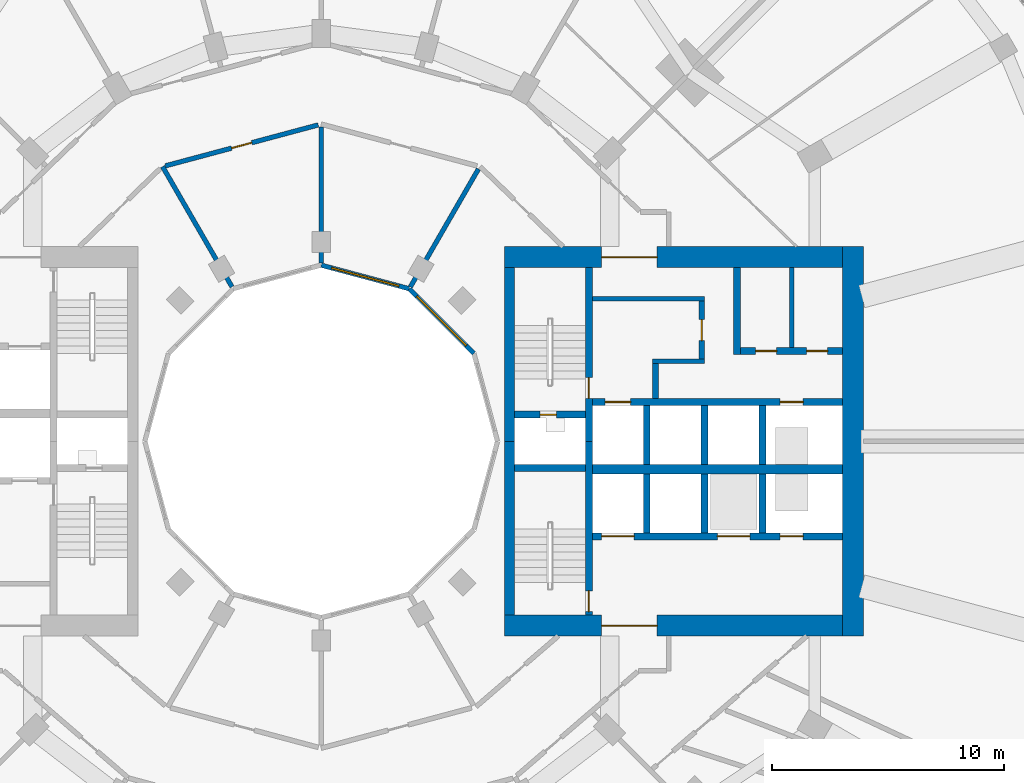
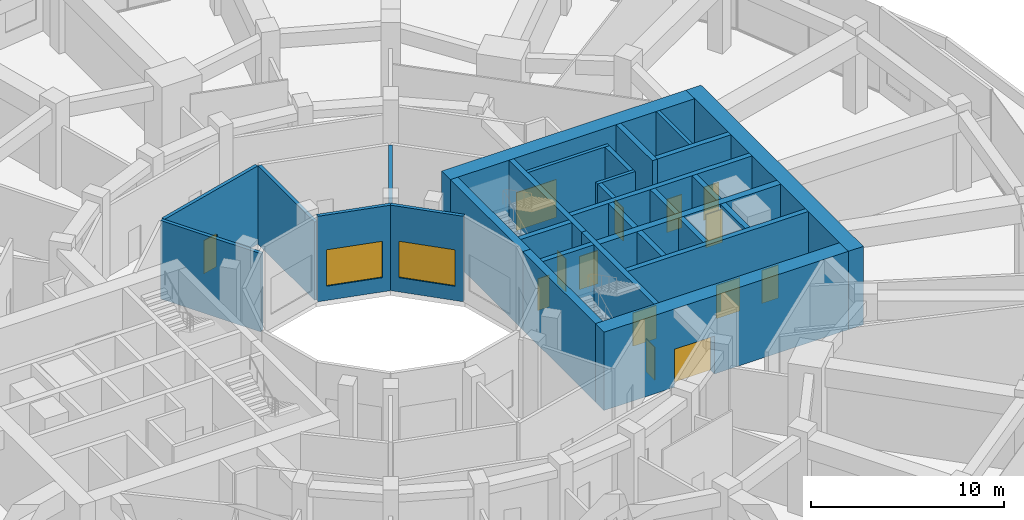
# One storey, part 21 of 26: 31 walls, 14 doors, 2 windows, 16 openings.
"""IFC4 building model written with IfcOpenShell, lengths in metres."""

from ifc_helpers import new_model, si_unit, direction, frame, frame_2d, origin, place, context, subcontext, project, spatial, rectangle, extrude, material, layer, layer_set, type_object, element, fill, save


model = new_model("IFC4")

# Units and contexts
model_context = context("Model", 3, precision=1e-05, world=origin(), true_north=direction((0.0, 1.0)))
body_context = subcontext(model_context, "Body", "Model", "MODEL_VIEW")
ifc_project = project(units=[si_unit("LENGTHUNIT", "METRE"), si_unit("AREAUNIT", "SQUARE_METRE"), si_unit("VOLUMEUNIT", "CUBIC_METRE"), si_unit("PLANEANGLEUNIT", "RADIAN"), si_unit("MASSUNIT", "GRAM", prefix="KILO")], contexts=[model_context])

# Site, building, storey
site_placement = place(None, origin())
site = spatial("IfcSite", under=ifc_project, at=site_placement, CompositionType="ELEMENT")
building_placement = place(site_placement, origin())
building = spatial("IfcBuilding", under=site, at=building_placement, Name="Torre Brocal", CompositionType="ELEMENT")
storey_placement = place(building_placement, frame((0.0, 0.0, 12.39990234375)))
storey = spatial("IfcBuildingStorey", under=building, at=storey_placement, Name="L02", CompositionType="ELEMENT", Elevation=12.39990234375)

# Walls
ifc_material_1 = material(Name="Masonry block", Category="masonry")
ifc_layer_1 = layer(ifc_material_1, 0.199951171875)
ifc_layer_set_1 = layer_set([ifc_layer_1], Name="Masonry block")
wall_type_1 = type_object("IfcWallType", Name="CORE PARTITION 200 UNDER 450 SLAB", PredefinedType="PARTITIONING", material=ifc_layer_set_1)
wall_1_placement = place(storey_placement, frame((100.300048828125, 79.050048828125, 0.0), z_axis=(0.0, 0.0, 1.0), x_axis=(0.0, 1.0, 0.0)))
element("IfcWall", 1, at=wall_1_placement, inside=storey, type_object=wall_type_1, Name="Wall CP200-S450", PredefinedType="PARTITIONING", context=body_context, shape_type="SweptSolid", body=[
    extrude(rectangle(XDim=3.449951171875, YDim=0.199951171875, at=frame_2d((1.72509765625, 0.0))), origin(), (0.0, 0.0, 1.0), 4.9501953125),
])
ifc_material_2 = material(Name="Concrete C80", Category="concrete")
ifc_layer_2 = layer(ifc_material_2, 0.199951171875)
ifc_layer_set_2 = layer_set([ifc_layer_2], Name="Concrete C80")
wall_type_2 = type_object("IfcWallType", Name="CORE WALL 200 C80 UNDER 450 SLAB", PredefinedType="SHEAR", material=ifc_layer_set_2)
wall_2_placement = place(storey_placement, frame((91.699951171875, 81.14990234375, 0.0), z_axis=(0.0, 0.0, 1.0), x_axis=(1.0, 0.0, 0.0)))
element("IfcWall", 2, at=wall_2_placement, inside=storey, type_object=wall_type_2, Name="Wall CW200-80-S450", PredefinedType="SHEAR", context=body_context, shape_type="SweptSolid", body=[
    extrude(rectangle(XDim=4.85009765625, YDim=0.199951171875, at=frame_2d((2.425048828125, 0.0))), origin(), (0.0, 0.0, 1.0), 4.9501953125),
])
wall_3_placement = place(storey_placement, frame((94.300048828125, 78.449951171875, 0.0), z_axis=(0.0, 0.0, 1.0), x_axis=(1.0, 0.0, 0.0)))
element("IfcWall", 3, at=wall_3_placement, inside=storey, type_object=wall_type_2, Name="Wall CW200-80-S450", PredefinedType="SHEAR", context=body_context, shape_type="SweptSolid", body=[
    extrude(rectangle(XDim=2.25, YDim=0.199951171875, at=frame_2d((1.125, 0.0))), origin(), (0.0, 0.0, 1.0), 4.9501953125),
])

# Wall, opening, door
ifc_material_3 = material(Name="Concrete C80", Category="concrete")
ifc_layer_3 = layer(ifc_material_3, 0.25)
ifc_layer_set_3 = layer_set([ifc_layer_3], Name="Concrete C80")
wall_type_3 = type_object("IfcWallType", Name="CORE WALL 250 C80 UNDER 450 SLAB", PredefinedType="SHEAR", material=ifc_layer_set_3)
wall_4_placement = place(storey_placement, frame((96.425048828125, 78.550048828125, 0.0), z_axis=(0.0, 0.0, 1.0), x_axis=(0.0, 1.0, 0.0)))
wall_4 = element("IfcWall", 4, at=wall_4_placement, inside=storey, type_object=wall_type_3, Name="Wall CW250-80-S450", PredefinedType="SHEAR", context=body_context, shape_type="SweptSolid", body=[
    extrude(rectangle(XDim=2.5, YDim=0.25, at=frame_2d((1.25, 0.0))), origin(), (0.0, 0.0, 1.0), 4.9501953125),
])
opening_1_placement = place(wall_4_placement, frame((0.800048828125, 0.0, 0.0)))
opening_1 = element("IfcOpeningElement", 5, at=opening_1_placement, cuts=wall_4, Name="Opening E-D15", PredefinedType="OPENING", context=body_context, shape_type="SweptSolid", body=[
    extrude(rectangle(XDim=0.89990234375, YDim=2.10009765625, at=frame_2d((0.449951171875, 1.050048828125))), frame((0.0, 0.135009765625, 0.0), z_axis=(0.0, -1.0, 0.0), x_axis=(1.0, 0.0, 0.0)), (0.0, 0.0, 1.0), 0.27001953125),
])
ifc_material_4 = material(Name="Steel A653", Category="steel")
door_type_1 = type_object("IfcDoorType", Name="LOBBY DOOR FD120 900X2100", OperationType="SINGLE_SWING_RIGHT", PredefinedType="DOOR", material=ifc_material_4)
door_1_placement = place(opening_1_placement, origin())
door_1 = element("IfcDoor", 6, at=door_1_placement, inside=storey, type_object=door_type_1, Name="Door E-D15", OperationType="SINGLE_SWING_LEFT", OverallHeight=2.10009765625, OverallWidth=0.89990234375, PredefinedType="DOOR", context=body_context, shape_type="SweptSolid", body=[
    extrude(rectangle(XDim=0.89990234375, YDim=2.10009765625, at=frame_2d((0.449951171875, 1.050048828125))), frame((0.0, 0.02490234375, 0.0), z_axis=(0.0, -1.0, 0.0), x_axis=(1.0, 0.0, 0.0)), (0.0, 0.0, 1.0), 0.050048828125),
])
fill(opening_1, door_1)

# Wall
wall_5_placement = place(storey_placement, frame((94.425048828125, 76.85009765625, 0.0), z_axis=(0.0, 0.0, 1.0), x_axis=(0.0, 1.0, 0.0)))
element("IfcWall", 7, at=wall_5_placement, inside=storey, type_object=wall_type_3, Name="Wall CW250-80-S450", PredefinedType="SHEAR", context=body_context, shape_type="SweptSolid", body=[
    extrude(rectangle(XDim=1.5, YDim=0.25, at=frame_2d((0.75, 0.0))), origin(), (0.0, 0.0, 1.0), 4.9501953125),
])

# Wall, opening, door
ifc_material_5 = material(Name="Concrete C80", Category="concrete")
ifc_layer_4 = layer(ifc_material_5, 0.300048828125)
ifc_layer_set_4 = layer_set([ifc_layer_4], Name="Concrete C80")
wall_type_4 = type_object("IfcWallType", Name="CORE WALL 300 C80 UNDER 450 SLAB", PredefinedType="SHEAR", material=ifc_layer_set_4)
wall_6_placement = place(storey_placement, frame((91.550048828125, 75.0, 0.0), z_axis=(0.0, 0.0, 1.0), x_axis=(0.0, 1.0, 0.0)))
wall_6 = element("IfcWall", 8, at=wall_6_placement, inside=storey, type_object=wall_type_4, Name="Wall CW300-80-S450", PredefinedType="SHEAR", context=body_context, shape_type="SweptSolid", body=[
    extrude(rectangle(XDim=7.5, YDim=0.300048828125, at=frame_2d((3.75, 0.0))), origin(), (0.0, 0.0, 1.0), 4.9501953125),
])
opening_2_placement = place(wall_6_placement, frame((1.85009765625, 0.0, 0.0)))
opening_2 = element("IfcOpeningElement", 9, at=opening_2_placement, cuts=wall_6, Name="Opening E-D02", PredefinedType="OPENING", context=body_context, shape_type="SweptSolid", body=[
    extrude(rectangle(XDim=0.89990234375, YDim=2.10009765625, at=frame_2d((0.449951171875, 1.050048828125))), frame((0.0, 0.159912109375, 0.0), z_axis=(0.0, -1.0, 0.0), x_axis=(1.0, 0.0, 0.0)), (0.0, 0.0, 1.0), 0.320068359375),
])
ifc_material_6 = material(Name="Steel A653", Category="steel")
door_type_2 = type_object("IfcDoorType", Name="STAIR DOOR FD120 900X2100", OperationType="SINGLE_SWING_RIGHT", PredefinedType="DOOR", material=ifc_material_6)
door_2_placement = place(opening_2_placement, origin())
door_2 = element("IfcDoor", 10, at=door_2_placement, inside=storey, type_object=door_type_2, Name="Door E-D02", OperationType="SINGLE_SWING_LEFT", OverallHeight=2.10009765625, OverallWidth=0.89990234375, PredefinedType="DOOR", context=body_context, shape_type="SweptSolid", body=[
    extrude(rectangle(XDim=0.89990234375, YDim=2.10009765625, at=frame_2d((0.449951171875, 1.050048828125))), frame((0.0, 0.02490234375, 0.0), z_axis=(0.0, -1.0, 0.0), x_axis=(1.0, 0.0, 0.0)), (0.0, 0.0, 1.0), 0.050048828125),
])
fill(opening_2, door_2)

wall_7_placement = place(storey_placement, frame((91.550048828125, 67.5, 0.0), z_axis=(0.0, 0.0, 1.0), x_axis=(0.0, 1.0, 0.0)))
wall_7 = element("IfcWall", 11, at=wall_7_placement, inside=storey, type_object=wall_type_4, Name="Wall CW300-80-S450", PredefinedType="SHEAR", context=body_context, shape_type="SweptSolid", body=[
    extrude(rectangle(XDim=7.5, YDim=0.300048828125, at=frame_2d((3.75, 0.0))), origin(), (0.0, 0.0, 1.0), 4.9501953125),
])
opening_3_placement = place(wall_7_placement, frame((0.14990234375, 0.0, 0.0)))
opening_3 = element("IfcOpeningElement", 12, at=opening_3_placement, cuts=wall_7, Name="Opening E-D03", PredefinedType="OPENING", context=body_context, shape_type="SweptSolid", body=[
    extrude(rectangle(XDim=0.89990234375, YDim=2.10009765625, at=frame_2d((0.449951171875, 1.050048828125))), frame((0.0, 0.159912109375, 0.0), z_axis=(0.0, -1.0, 0.0), x_axis=(1.0, 0.0, 0.0)), (0.0, 0.0, 1.0), 0.320068359375),
])
door_3_placement = place(opening_3_placement, origin())
door_3 = element("IfcDoor", 13, at=door_3_placement, inside=storey, type_object=door_type_2, Name="Door E-D03", OperationType="SINGLE_SWING_LEFT", OverallHeight=2.10009765625, OverallWidth=0.89990234375, PredefinedType="DOOR", context=body_context, shape_type="SweptSolid", body=[
    extrude(rectangle(XDim=0.89990234375, YDim=2.10009765625, at=frame_2d((0.449951171875, 1.050048828125))), frame((0.0, 0.02490234375, 0.0), z_axis=(0.0, -1.0, 0.0), x_axis=(1.0, 0.0, 0.0)), (0.0, 0.0, 1.0), 0.050048828125),
])
fill(opening_3, door_3)

wall_8_placement = place(storey_placement, frame((88.35009765625, 76.14990234375, 0.0), z_axis=(0.0, 0.0, 1.0), x_axis=(1.0, 0.0, 0.0)))
wall_8 = element("IfcWall", 14, at=wall_8_placement, inside=storey, type_object=wall_type_4, Name="Wall CW300-80-S450", PredefinedType="SHEAR", context=body_context, shape_type="SweptSolid", body=[
    extrude(rectangle(XDim=3.0498046875, YDim=0.300048828125, at=frame_2d((1.52490234375, 0.0))), origin(), (0.0, 0.0, 1.0), 4.9501953125),
])
opening_4_placement = place(wall_8_placement, frame((1.10009765625, 0.0, 0.0)))
opening_4 = element("IfcOpeningElement", 15, at=opening_4_placement, cuts=wall_8, Name="Opening E-D01", PredefinedType="OPENING", context=body_context, shape_type="SweptSolid", body=[
    extrude(rectangle(XDim=0.699951171875, YDim=2.0, at=frame_2d((0.35009765625, 1.0))), frame((0.0, 0.159912109375, 0.0), z_axis=(0.0, -1.0, 0.0), x_axis=(1.0, 0.0, 0.0)), (0.0, 0.0, 1.0), 0.320068359375),
])
ifc_material_7 = material(Name="Steel A653", Category="steel")
door_type_3 = type_object("IfcDoorType", Name="RISER DOOR FD120 700X2000", OperationType="SINGLE_SWING_LEFT", PredefinedType="DOOR", material=ifc_material_7)
door_4_placement = place(opening_4_placement, frame((0.699951171875, 0.0, 0.0), z_axis=(0.0, 0.0, 1.0), x_axis=(-1.0, 0.0, 0.0)))
door_4 = element("IfcDoor", 16, at=door_4_placement, inside=storey, type_object=door_type_3, Name="Door E-D01", OperationType="SINGLE_SWING_RIGHT", OverallHeight=2.0, OverallWidth=0.699951171875, PredefinedType="DOOR", context=body_context, shape_type="SweptSolid", body=[
    extrude(rectangle(XDim=0.699951171875, YDim=2.0, at=frame_2d((0.35009765625, 1.0))), frame((0.0, 0.02490234375, 0.0), z_axis=(0.0, -1.0, 0.0), x_axis=(1.0, 0.0, 0.0)), (0.0, 0.0, 1.0), 0.050048828125),
])
fill(opening_4, door_4)

# Wall
wall_9_placement = place(storey_placement, frame((88.35009765625, 73.85009765625, 0.0), z_axis=(0.0, 0.0, 1.0), x_axis=(1.0, 0.0, 0.0)))
element("IfcWall", 17, at=wall_9_placement, inside=storey, type_object=wall_type_4, Name="Wall CW300-80-S450", PredefinedType="SHEAR", context=body_context, shape_type="SweptSolid", body=[
    extrude(rectangle(XDim=3.0498046875, YDim=0.300048828125, at=frame_2d((1.52490234375, 0.0))), origin(), (0.0, 0.0, 1.0), 4.9501953125),
])

# Wall, openings, doors
wall_10_placement = place(storey_placement, frame((91.699951171875, 76.699951171875, 0.0), z_axis=(0.0, 0.0, 1.0), x_axis=(1.0, 0.0, 0.0)))
wall_10 = element("IfcWall", 18, at=wall_10_placement, inside=storey, type_object=wall_type_4, Name="Wall CW300-80-S450", PredefinedType="SHEAR", context=body_context, shape_type="SweptSolid", body=[
    extrude(rectangle(XDim=10.800048828125, YDim=0.300048828125, at=frame_2d((5.39990234375, 0.0))), origin(), (0.0, 0.0, 1.0), 4.9501953125),
])
opening_5_placement = place(wall_10_placement, frame((0.550048828125, 0.0, 0.0)))
opening_5 = element("IfcOpeningElement", 19, at=opening_5_placement, cuts=wall_10, Name="Opening LD", PredefinedType="OPENING", context=body_context, shape_type="SweptSolid", body=[
    extrude(rectangle(XDim=1.10009765625, YDim=2.10009765625, at=frame_2d((0.550048828125, 1.050048828125))), frame((0.0, 0.159912109375, 0.0), z_axis=(0.0, -1.0, 0.0), x_axis=(1.0, 0.0, 0.0)), (0.0, 0.0, 1.0), 0.320068359375),
])
opening_6_placement = place(wall_10_placement, frame((8.10009765625, 0.0, 0.0)))
opening_6 = element("IfcOpeningElement", 20, at=opening_6_placement, cuts=wall_10, Name="Opening LD10", PredefinedType="OPENING", context=body_context, shape_type="SweptSolid", body=[
    extrude(rectangle(XDim=1.0, YDim=2.10009765625, at=frame_2d((0.5, 1.050048828125))), frame((0.0, 0.159912109375, 0.0), z_axis=(0.0, -1.0, 0.0), x_axis=(1.0, 0.0, 0.0)), (0.0, 0.0, 1.0), 0.320068359375),
])
ifc_material_8 = material(Name="Stainless steel AISI 316", Category="steel")
door_type_4 = type_object("IfcDoorType", Name="LIFT LANDING DOOR 1000X2100", OperationType="DOUBLE_DOOR_SLIDING", PredefinedType="DOOR", material=ifc_material_8)
door_5_placement = place(opening_6_placement, origin())
door_5 = element("IfcDoor", 21, at=door_5_placement, inside=storey, type_object=door_type_4, Name="Door LD10", OperationType="DOUBLE_DOOR_SLIDING", OverallHeight=2.10009765625, OverallWidth=1.0, PredefinedType="DOOR", context=body_context, shape_type="SweptSolid", body=[
    extrude(rectangle(XDim=1.0, YDim=2.10009765625, at=frame_2d((0.5, 1.050048828125))), frame((0.0, 0.02490234375, 0.0), z_axis=(0.0, -1.0, 0.0), x_axis=(1.0, 0.0, 0.0)), (0.0, 0.0, 1.0), 0.050048828125),
])
fill(opening_6, door_5)
ifc_material_9 = material(Name="Stainless steel AISI 316", Category="steel")
door_type_5 = type_object("IfcDoorType", Name="LIFT LANDING DOOR 1100X2100", OperationType="DOUBLE_DOOR_SLIDING", PredefinedType="DOOR", material=ifc_material_9)
door_6_placement = place(opening_5_placement, origin())
door_6 = element("IfcDoor", 22, at=door_6_placement, inside=storey, type_object=door_type_5, Name="Door LD", OperationType="DOUBLE_DOOR_SLIDING", OverallHeight=2.10009765625, OverallWidth=1.10009765625, PredefinedType="DOOR", context=body_context, shape_type="SweptSolid", body=[
    extrude(rectangle(XDim=1.10009765625, YDim=2.10009765625, at=frame_2d((0.550048828125, 1.050048828125))), frame((0.0, 0.02490234375, 0.0), z_axis=(0.0, -1.0, 0.0), x_axis=(1.0, 0.0, 0.0)), (0.0, 0.0, 1.0), 0.050048828125),
])
fill(opening_5, door_6)

wall_11_placement = place(storey_placement, frame((91.699951171875, 70.89990234375, 0.0), z_axis=(0.0, 0.0, 1.0), x_axis=(1.0, 0.0, 0.0)))
wall_11 = element("IfcWall", 23, at=wall_11_placement, inside=storey, type_object=wall_type_4, Name="Wall CW300-80-S450", PredefinedType="SHEAR", context=body_context, shape_type="SweptSolid", body=[
    extrude(rectangle(XDim=10.800048828125, YDim=0.300048828125, at=frame_2d((5.39990234375, 0.0))), origin(), (0.0, 0.0, 1.0), 4.9501953125),
])
opening_7_placement = place(wall_11_placement, frame((0.39990234375, 0.0, 0.0)))
opening_7 = element("IfcOpeningElement", 24, at=opening_7_placement, cuts=wall_11, Name="Opening LD14", PredefinedType="OPENING", context=body_context, shape_type="SweptSolid", body=[
    extrude(rectangle(XDim=1.39990234375, YDim=2.10009765625, at=frame_2d((0.699951171875, 1.050048828125))), frame((0.0, 0.159912109375, 0.0), z_axis=(0.0, -1.0, 0.0), x_axis=(1.0, 0.0, 0.0)), (0.0, 0.0, 1.0), 0.320068359375),
])
opening_8_placement = place(wall_11_placement, frame((5.39990234375, 0.0, 0.0)))
opening_8 = element("IfcOpeningElement", 25, at=opening_8_placement, cuts=wall_11, Name="Opening LD14", PredefinedType="OPENING", context=body_context, shape_type="SweptSolid", body=[
    extrude(rectangle(XDim=1.39990234375, YDim=2.10009765625, at=frame_2d((0.699951171875, 1.050048828125))), frame((0.0, 0.159912109375, 0.0), z_axis=(0.0, -1.0, 0.0), x_axis=(1.0, 0.0, 0.0)), (0.0, 0.0, 1.0), 0.320068359375),
])
opening_9_placement = place(wall_11_placement, frame((8.10009765625, 0.0, 0.0)))
opening_9 = element("IfcOpeningElement", 26, at=opening_9_placement, cuts=wall_11, Name="Opening LD10", PredefinedType="OPENING", context=body_context, shape_type="SweptSolid", body=[
    extrude(rectangle(XDim=1.0, YDim=2.10009765625, at=frame_2d((0.5, 1.050048828125))), frame((0.0, 0.159912109375, 0.0), z_axis=(0.0, -1.0, 0.0), x_axis=(1.0, 0.0, 0.0)), (0.0, 0.0, 1.0), 0.320068359375),
])
door_7_placement = place(opening_9_placement, origin())
door_7 = element("IfcDoor", 27, at=door_7_placement, inside=storey, type_object=door_type_4, Name="Door LD10", OperationType="DOUBLE_DOOR_SLIDING", OverallHeight=2.10009765625, OverallWidth=1.0, PredefinedType="DOOR", context=body_context, shape_type="SweptSolid", body=[
    extrude(rectangle(XDim=1.0, YDim=2.10009765625, at=frame_2d((0.5, 1.050048828125))), frame((0.0, 0.02490234375, 0.0), z_axis=(0.0, -1.0, 0.0), x_axis=(1.0, 0.0, 0.0)), (0.0, 0.0, 1.0), 0.050048828125),
])
fill(opening_9, door_7)
ifc_material_10 = material(Name="Stainless steel AISI 316", Category="steel")
door_type_6 = type_object("IfcDoorType", Name="LIFT LANDING DOOR 1400X2100", OperationType="DOUBLE_DOOR_SLIDING", PredefinedType="DOOR", material=ifc_material_10)
door_8_placement = place(opening_7_placement, origin())
door_8 = element("IfcDoor", 28, at=door_8_placement, inside=storey, type_object=door_type_6, Name="Door LD14", OperationType="DOUBLE_DOOR_SLIDING", OverallHeight=2.10009765625, OverallWidth=1.39990234375, PredefinedType="DOOR", context=body_context, shape_type="SweptSolid", body=[
    extrude(rectangle(XDim=1.39990234375, YDim=2.10009765625, at=frame_2d((0.699951171875, 1.050048828125))), frame((0.0, 0.02490234375, 0.0), z_axis=(0.0, -1.0, 0.0), x_axis=(1.0, 0.0, 0.0)), (0.0, 0.0, 1.0), 0.050048828125),
])
fill(opening_7, door_8)
door_9_placement = place(opening_8_placement, origin())
door_9 = element("IfcDoor", 29, at=door_9_placement, inside=storey, type_object=door_type_6, Name="Door LD14", OperationType="DOUBLE_DOOR_SLIDING", OverallHeight=2.10009765625, OverallWidth=1.39990234375, PredefinedType="DOOR", context=body_context, shape_type="SweptSolid", body=[
    extrude(rectangle(XDim=1.39990234375, YDim=2.10009765625, at=frame_2d((0.699951171875, 1.050048828125))), frame((0.0, 0.02490234375, 0.0), z_axis=(0.0, -1.0, 0.0), x_axis=(1.0, 0.0, 0.0)), (0.0, 0.0, 1.0), 0.050048828125),
])
fill(opening_8, door_9)

# Walls
for number, where, z_axis, x_axis, name in (
    (30, (94.050048828125, 74.0, 0.0), (0.0, 0.0, 1.0), (0.0, 1.0, 0.0), "Wall CW300-80-S450"),
    (31, (96.550048828125, 74.0, 0.0), (0.0, 0.0, 1.0), (0.0, 1.0, 0.0), "Wall CW300-80-S450"),
    (32, (99.050048828125, 74.0, 0.0), (0.0, 0.0, 1.0), (0.0, 1.0, 0.0), "Wall CW300-80-S450"),
    (33, (94.050048828125, 71.050048828125, 0.0), (0.0, 0.0, 1.0), (0.0, 1.0, 0.0), "Wall CW300-80-S450"),
    (34, (96.550048828125, 71.050048828125, 0.0), (0.0, 0.0, 1.0), (0.0, 1.0, 0.0), "Wall CW300-80-S450"),
    (35, (99.050048828125, 71.050048828125, 0.0), (0.0, 0.0, 1.0), (0.0, 1.0, 0.0), "Wall CW300-80-S450"),
):
    element("IfcWall", number, at=place(storey_placement, frame(where, z_axis=z_axis, x_axis=x_axis)), inside=storey, type_object=wall_type_4, Name=name, PredefinedType="SHEAR", context=body_context, shape_type="SweptSolid", body=[
        extrude(rectangle(XDim=2.550048828125, YDim=0.300048828125, at=frame_2d((1.27490234375, 0.0))), origin(), (0.0, 0.0, 1.0), 4.9501953125),
    ])
wall_12_placement = place(storey_placement, frame((97.949951171875, 78.75, 0.0), z_axis=(0.0, 0.0, 1.0), x_axis=(0.0, 1.0, 0.0)))
element("IfcWall", 36, at=wall_12_placement, inside=storey, type_object=wall_type_4, Name="Wall CW300-80-S450", PredefinedType="SHEAR", context=body_context, shape_type="SweptSolid", body=[
    extrude(rectangle(XDim=3.75, YDim=0.300048828125, at=frame_2d((1.875, 0.0))), origin(), (0.0, 0.0, 1.0), 4.9501953125),
])

# Wall, openings, doors
wall_13_placement = place(storey_placement, frame((98.10009765625, 78.89990234375, 0.0), z_axis=(0.0, 0.0, 1.0), x_axis=(1.0, 0.0, 0.0)))
wall_13 = element("IfcWall", 37, at=wall_13_placement, inside=storey, type_object=wall_type_4, Name="Wall CW300-80-S450", PredefinedType="SHEAR", context=body_context, shape_type="SweptSolid", body=[
    extrude(rectangle(XDim=4.39990234375, YDim=0.300048828125, at=frame_2d((2.199951171875, 0.0))), origin(), (0.0, 0.0, 1.0), 4.9501953125),
])
opening_10_placement = place(wall_13_placement, frame((0.64990234375, 0.0, 0.0)))
opening_10 = element("IfcOpeningElement", 38, at=opening_10_placement, cuts=wall_13, Name="Opening E-D05", PredefinedType="OPENING", context=body_context, shape_type="SweptSolid", body=[
    extrude(rectangle(XDim=0.89990234375, YDim=2.10009765625, at=frame_2d((0.449951171875, 1.050048828125))), frame((0.0, 0.159912109375, 0.0), z_axis=(0.0, -1.0, 0.0), x_axis=(1.0, 0.0, 0.0)), (0.0, 0.0, 1.0), 0.320068359375),
])
opening_11_placement = place(wall_13_placement, frame((2.85009765625, 0.0, 0.0)))
opening_11 = element("IfcOpeningElement", 39, at=opening_11_placement, cuts=wall_13, Name="Opening E-D06", PredefinedType="OPENING", context=body_context, shape_type="SweptSolid", body=[
    extrude(rectangle(XDim=0.89990234375, YDim=2.10009765625, at=frame_2d((0.449951171875, 1.050048828125))), frame((0.0, 0.159912109375, 0.0), z_axis=(0.0, -1.0, 0.0), x_axis=(1.0, 0.0, 0.0)), (0.0, 0.0, 1.0), 0.320068359375),
])
ifc_material_11 = material(Name="Steel A653", Category="steel")
door_type_7 = type_object("IfcDoorType", Name="ROOM DOOR FD30S 900X2100", OperationType="SINGLE_SWING_LEFT", PredefinedType="DOOR", material=ifc_material_11)
door_10_placement = place(opening_10_placement, origin())
door_10 = element("IfcDoor", 40, at=door_10_placement, inside=storey, type_object=door_type_7, Name="Door E-D05", OperationType="SINGLE_SWING_RIGHT", OverallHeight=2.10009765625, OverallWidth=0.89990234375, PredefinedType="DOOR", context=body_context, shape_type="SweptSolid", body=[
    extrude(rectangle(XDim=0.89990234375, YDim=2.10009765625, at=frame_2d((0.449951171875, 1.050048828125))), frame((0.0, 0.02490234375, 0.0), z_axis=(0.0, -1.0, 0.0), x_axis=(1.0, 0.0, 0.0)), (0.0, 0.0, 1.0), 0.050048828125),
])
fill(opening_10, door_10)
door_11_placement = place(opening_11_placement, origin())
door_11 = element("IfcDoor", 41, at=door_11_placement, inside=storey, type_object=door_type_7, Name="Door E-D06", OperationType="SINGLE_SWING_LEFT", OverallHeight=2.10009765625, OverallWidth=0.89990234375, PredefinedType="DOOR", context=body_context, shape_type="SweptSolid", body=[
    extrude(rectangle(XDim=0.89990234375, YDim=2.10009765625, at=frame_2d((0.449951171875, 1.050048828125))), frame((0.0, 0.02490234375, 0.0), z_axis=(0.0, -1.0, 0.0), x_axis=(1.0, 0.0, 0.0)), (0.0, 0.0, 1.0), 0.050048828125),
])
fill(opening_11, door_11)

# Walls
ifc_material_12 = material(Name="Concrete C80", Category="concrete")
ifc_layer_5 = layer(ifc_material_12, 0.39990234375)
ifc_layer_set_5 = layer_set([ifc_layer_5], Name="Concrete C80")
wall_type_5 = type_object("IfcWallType", Name="CORE WALL 400 C80 UNDER 450 SLAB", PredefinedType="SHEAR", material=ifc_layer_set_5)
wall_14_placement = place(storey_placement, frame((91.699951171875, 73.800048828125, 0.0), z_axis=(0.0, 0.0, 1.0), x_axis=(1.0, 0.0, 0.0)))
element("IfcWall", 42, at=wall_14_placement, inside=storey, type_object=wall_type_5, Name="Wall CW400-80-S450", PredefinedType="SHEAR", context=body_context, shape_type="SweptSolid", body=[
    extrude(rectangle(XDim=10.800048828125, YDim=0.39990234375, at=frame_2d((5.39990234375, 0.0))), origin(), (0.0, 0.0, 1.0), 4.9501953125),
])
ifc_material_13 = material(Name="Concrete C80", Category="concrete")
ifc_layer_6 = layer(ifc_material_13, 0.449951171875)
ifc_layer_set_6 = layer_set([ifc_layer_6], Name="Concrete C80")
wall_type_6 = type_object("IfcWallType", Name="CORE WALL 450 C80 UNDER 450 SLAB", PredefinedType="SHEAR", material=ifc_layer_set_6)
for number, where, z_axis, x_axis, name in (
    (43, (88.125, 75.0, 0.0), (0.0, 0.0, 1.0), (0.0, 1.0, 0.0), "Wall CW450-80-S450"),
    (44, (88.125, 67.5, 0.0), (0.0, 0.0, 1.0), (0.0, 1.0, 0.0), "Wall CW450-80-S450"),
):
    element("IfcWall", number, at=place(storey_placement, frame(where, z_axis=z_axis, x_axis=x_axis)), inside=storey, type_object=wall_type_6, Name=name, PredefinedType="SHEAR", context=body_context, shape_type="SweptSolid", body=[
        extrude(rectangle(XDim=7.5, YDim=0.449951171875, at=frame_2d((3.75, 0.0))), origin(), (0.0, 0.0, 1.0), 4.9501953125),
    ])

# Wall, opening, door
ifc_material_14 = material(Name="Concrete C80", Category="concrete")
ifc_layer_7 = layer(ifc_material_14, 0.89990234375)
ifc_layer_set_7 = layer_set([ifc_layer_7], Name="Concrete C80")
wall_type_7 = type_object("IfcWallType", Name="CORE WALL 900 C80 UNDER 450 SLAB", PredefinedType="SHEAR", material=ifc_layer_set_7)
wall_15_placement = place(storey_placement, frame((87.89990234375, 82.949951171875, 0.0), z_axis=(0.0, 0.0, 1.0), x_axis=(1.0, 0.0, 0.0)))
wall_15 = element("IfcWall", 45, at=wall_15_placement, inside=storey, type_object=wall_type_7, Name="Wall CW900-80-S450", PredefinedType="SHEAR", context=body_context, shape_type="SweptSolid", body=[
    extrude(rectangle(XDim=14.60009765625, YDim=0.89990234375, at=frame_2d((7.300048828125, 0.0))), origin(), (0.0, 0.0, 1.0), 4.9501953125),
])
opening_12_placement = place(wall_15_placement, frame((4.199951171875, 0.0, 0.0)))
opening_12 = element("IfcOpeningElement", 46, at=opening_12_placement, cuts=wall_15, Name="Opening E-D24", PredefinedType="OPENING", context=body_context, shape_type="SweptSolid", body=[
    extrude(rectangle(XDim=2.39990234375, YDim=2.39990234375, at=frame_2d((1.199951171875, 1.199951171875))), frame((0.0, 0.4599609375, 0.0), z_axis=(0.0, -1.0, 0.0), x_axis=(1.0, 0.0, 0.0)), (0.0, 0.0, 1.0), 0.919921875),
])
ifc_material_15 = material(Name="Steel A653", Category="steel")
door_type_8 = type_object("IfcDoorType", Name="DOUBLE FIRE DOOR FD90 2400X2400", OperationType="DOUBLE_DOOR_SINGLE_SWING", PredefinedType="DOOR", material=ifc_material_15)
door_12_placement = place(opening_12_placement, frame((2.39990234375, 0.0, 0.0), z_axis=(0.0, 0.0, 1.0), x_axis=(-1.0, 0.0, 0.0)))
door_12 = element("IfcDoor", 47, at=door_12_placement, inside=storey, type_object=door_type_8, Name="Door E-D24", OperationType="DOUBLE_DOOR_SINGLE_SWING", OverallHeight=2.39990234375, OverallWidth=2.39990234375, PredefinedType="DOOR", context=body_context, shape_type="SweptSolid", body=[
    extrude(rectangle(XDim=2.39990234375, YDim=2.39990234375, at=frame_2d((1.199951171875, 1.199951171875))), frame((0.0, 0.02490234375, 0.0), z_axis=(0.0, -1.0, 0.0), x_axis=(1.0, 0.0, 0.0)), (0.0, 0.0, 1.0), 0.050048828125),
])
fill(opening_12, door_12)

wall_16_placement = place(storey_placement, frame((87.89990234375, 67.050048828125, 0.0), z_axis=(0.0, 0.0, 1.0), x_axis=(1.0, 0.0, 0.0)))
wall_16 = element("IfcWall", 48, at=wall_16_placement, inside=storey, type_object=wall_type_7, Name="Wall CW900-80-S450", PredefinedType="SHEAR", context=body_context, shape_type="SweptSolid", body=[
    extrude(rectangle(XDim=14.60009765625, YDim=0.89990234375, at=frame_2d((7.300048828125, 0.0))), origin(), (0.0, 0.0, 1.0), 4.9501953125),
])
opening_13_placement = place(wall_16_placement, frame((4.199951171875, 0.0, 0.0)))
opening_13 = element("IfcOpeningElement", 49, at=opening_13_placement, cuts=wall_16, Name="Opening E-D27", PredefinedType="OPENING", context=body_context, shape_type="SweptSolid", body=[
    extrude(rectangle(XDim=2.39990234375, YDim=2.39990234375, at=frame_2d((1.199951171875, 1.199951171875))), frame((0.0, 0.4599609375, 0.0), z_axis=(0.0, -1.0, 0.0), x_axis=(1.0, 0.0, 0.0)), (0.0, 0.0, 1.0), 0.919921875),
])
door_13_placement = place(opening_13_placement, origin())
door_13 = element("IfcDoor", 50, at=door_13_placement, inside=storey, type_object=door_type_8, Name="Door E-D27", OperationType="DOUBLE_DOOR_SINGLE_SWING", OverallHeight=2.39990234375, OverallWidth=2.39990234375, PredefinedType="DOOR", context=body_context, shape_type="SweptSolid", body=[
    extrude(rectangle(XDim=2.39990234375, YDim=2.39990234375, at=frame_2d((1.199951171875, 1.199951171875))), frame((0.0, 0.02490234375, 0.0), z_axis=(0.0, -1.0, 0.0), x_axis=(1.0, 0.0, 0.0)), (0.0, 0.0, 1.0), 0.050048828125),
])
fill(opening_13, door_13)

# Wall
wall_17_placement = place(storey_placement, frame((102.949951171875, 66.60009765625, 0.0), z_axis=(0.0, 0.0, 1.0), x_axis=(0.0, 1.0, 0.0)))
element("IfcWall", 51, at=wall_17_placement, inside=storey, type_object=wall_type_7, Name="Wall CW900-80-S450", PredefinedType="SHEAR", context=body_context, shape_type="SweptSolid", body=[
    extrude(rectangle(XDim=16.7998046875, YDim=0.89990234375, at=frame_2d((8.39990234375, 0.0))), origin(), (0.0, 0.0, 1.0), 4.9501953125),
])

# Wall, opening, door
ifc_material_16 = material(Name="Gypsum board", Category="Gypsum")
ifc_layer_8 = layer(ifc_material_16, 0.199951171875)
ifc_layer_set_8 = layer_set([ifc_layer_8], Name="Gypsum board")
wall_type_8 = type_object("IfcWallType", Name="PARTITION 200 EI60", PredefinedType="PARTITIONING", material=ifc_layer_set_8)
wall_18_placement = place(storey_placement, frame((73.2744140625, 86.88818359375, 0.0), z_axis=(0.0, 0.0, 1.0), x_axis=(0.965941353683, 0.258761089124, 0.0)))
wall_18 = element("IfcWall", 52, at=wall_18_placement, inside=storey, type_object=wall_type_8, Name="CORRIDOR WALL", PredefinedType="PARTITIONING", context=body_context, shape_type="SweptSolid", body=[
    extrude(rectangle(XDim=6.832763671875, YDim=0.199951171875, at=frame_2d((3.41650390625, 0.0))), origin(), (0.0, 0.0, 1.0), 4.9501953125),
])
opening_14_placement = place(wall_18_placement, frame((2.96142578125, 0.0, 0.0)))
opening_14 = element("IfcOpeningElement", 53, at=opening_14_placement, cuts=wall_18, Name="Opening PD2-D19", PredefinedType="OPENING", context=body_context, shape_type="SweptSolid", body=[
    extrude(rectangle(XDim=0.89990234375, YDim=2.10009765625, at=frame_2d((0.449951171875, 1.050048828125))), frame((0.0, 0.10986328125, 0.0), z_axis=(0.0, -1.0, 0.0), x_axis=(1.0, 0.0, 0.0)), (0.0, 0.0, 1.0), 0.219970703125),
])
ifc_material_17 = material(Name="Timber", Category="wood")
door_type_9 = type_object("IfcDoorType", Name="ROOM DOOR 900X2100", OperationType="SINGLE_SWING_LEFT", PredefinedType="DOOR", material=ifc_material_17)
door_14_placement = place(opening_14_placement, frame((0.89990234375, 0.0, 0.0), z_axis=(0.0, 0.0, 1.0), x_axis=(-1.0, 0.0, 0.0)))
door_14 = element("IfcDoor", 54, at=door_14_placement, inside=storey, type_object=door_type_9, Name="PD2-D19", OperationType="SINGLE_SWING_RIGHT", OverallHeight=2.10009765625, OverallWidth=0.89990234375, PredefinedType="DOOR", context=body_context, shape_type="SweptSolid", body=[
    extrude(rectangle(XDim=0.89990234375, YDim=2.10009765625, at=frame_2d((0.449951171875, 1.050048828125))), frame((0.0, 0.02490234375, 0.0), z_axis=(0.0, -1.0, 0.0), x_axis=(1.0, 0.0, 0.0)), (0.0, 0.0, 1.0), 0.050048828125),
])
fill(opening_14, door_14)

# Walls
wall_19_placement = place(storey_placement, frame((73.1552734375, 86.856201171875, 0.0), z_axis=(0.0, 0.0, 1.0), x_axis=(0.499951716245, -0.866053278629, 0.0)))
element("IfcWall", 55, at=wall_19_placement, inside=storey, type_object=wall_type_8, Name="SERVICE ROOM WALL", PredefinedType="PARTITIONING", context=body_context, shape_type="SweptSolid", body=[
    extrude(rectangle(XDim=5.99169921875, YDim=0.199951171875, at=frame_2d((2.995849609375, 0.0))), origin(), (0.0, 0.0, 1.0), 4.9501953125),
])
wall_20_placement = place(storey_placement, frame((80.0, 82.698974609375, 0.0), z_axis=(0.0, 0.0, 1.0), x_axis=(0.0, 1.0, 0.0)))
element("IfcWall", 56, at=wall_20_placement, inside=storey, type_object=wall_type_8, Name="SERVICE ROOM WALL", PredefinedType="PARTITIONING", context=body_context, shape_type="SweptSolid", body=[
    extrude(rectangle(XDim=5.861083984375, YDim=0.199951171875, at=frame_2d((2.9306640625, 0.0))), origin(), (0.0, 0.0, 1.0), 4.9501953125),
])
wall_21_placement = place(storey_placement, frame((83.849609375, 81.666748046875, 0.0), z_axis=(0.0, 0.0, 1.0), x_axis=(0.500029580911, 0.866008324564, 0.0)))
element("IfcWall", 57, at=wall_21_placement, inside=storey, type_object=wall_type_8, Name="SERVICE ROOM WALL", PredefinedType="PARTITIONING", context=body_context, shape_type="SweptSolid", body=[
    extrude(rectangle(XDim=5.871826171875, YDim=0.199951171875, at=frame_2d((2.93603515625, 0.0))), origin(), (0.0, 0.0, 1.0), 4.9501953125),
])

# Wall, opening, window
ifc_material_18 = material(Name="Concrete C40", Category="concrete")
ifc_layer_9 = layer(ifc_material_18, 0.199951171875)
ifc_layer_set_9 = layer_set([ifc_layer_9], Name="Concrete C40")
wall_type_9 = type_object("IfcWallType", Name="WELL FACADE WALL 200", PredefinedType="NOTDEFINED", material=ifc_layer_set_9)
wall_22_placement = place(storey_placement, frame((86.5849609375, 78.8017578125, 0.0), z_axis=(0.0, 0.0, 1.0), x_axis=(-0.707106781187, 0.707106781187, 0.0)))
wall_22 = element("IfcWall", 58, at=wall_22_placement, inside=storey, type_object=wall_type_9, Name="WELL FACADE WALL", PredefinedType="NOTDEFINED", context=body_context, shape_type="SweptSolid", body=[
    extrude(rectangle(XDim=3.93603515625, YDim=0.199951171875, at=frame_2d((1.968017578125, 0.0))), origin(), (0.0, 0.0, 1.0), 5.400146484375),
])
opening_15_placement = place(wall_22_placement, frame((0.468017578125, 0.0, 0.89990234375)))
opening_15 = element("IfcOpeningElement", 59, at=opening_15_placement, cuts=wall_22, Name="Opening W1", PredefinedType="OPENING", context=body_context, shape_type="SweptSolid", body=[
    extrude(rectangle(XDim=3.0, YDim=2.300048828125, at=frame_2d((1.5, 1.14990234375))), frame((0.0, 0.10986328125, 0.0), z_axis=(0.0, -1.0, 0.0), x_axis=(1.0, 0.0, 0.0)), (0.0, 0.0, 1.0), 0.219970703125),
])
ifc_material_19 = material(Name="Aluminium and glass", Category="aluminium")
window_type = type_object("IfcWindowType", Name="WELL WINDOW 3000X2300", PartitioningType="SINGLE_PANEL", PredefinedType="WINDOW", material=ifc_material_19)
window_1_placement = place(opening_15_placement, origin())
window_1 = element("IfcWindow", 60, at=window_1_placement, inside=storey, type_object=window_type, Name="WELL WINDOW 3000X2300", OverallHeight=2.300048828125, OverallWidth=3.0, PartitioningType="SINGLE_PANEL", PredefinedType="WINDOW", context=body_context, shape_type="SweptSolid", body=[
    extrude(rectangle(XDim=3.0, YDim=2.300048828125, at=frame_2d((1.5, 1.14990234375))), frame((0.0, 0.030029296875, 0.0), z_axis=(0.0, -1.0, 0.0), x_axis=(1.0, 0.0, 0.0)), (0.0, 0.0, 1.0), 0.06005859375),
])
fill(opening_15, window_1)

wall_23_placement = place(storey_placement, frame((83.8017578125, 81.5849609375, 0.0), z_axis=(0.0, 0.0, 1.0), x_axis=(-0.965933654434, 0.258789828301, 0.0)))
wall_23 = element("IfcWall", 61, at=wall_23_placement, inside=storey, type_object=wall_type_9, Name="WELL FACADE WALL", PredefinedType="NOTDEFINED", context=body_context, shape_type="SweptSolid", body=[
    extrude(rectangle(XDim=3.935791015625, YDim=0.199951171875, at=frame_2d((1.9677734375, 0.0))), origin(), (0.0, 0.0, 1.0), 5.400146484375),
])
opening_16_placement = place(wall_23_placement, frame((0.468017578125, 0.0, 0.89990234375)))
opening_16 = element("IfcOpeningElement", 62, at=opening_16_placement, cuts=wall_23, Name="Opening W1", PredefinedType="OPENING", context=body_context, shape_type="SweptSolid", body=[
    extrude(rectangle(XDim=3.0, YDim=2.300048828125, at=frame_2d((1.5, 1.14990234375))), frame((0.0, 0.10986328125, 0.0), z_axis=(0.0, -1.0, 0.0), x_axis=(1.0, 0.0, 0.0)), (0.0, 0.0, 1.0), 0.219970703125),
])
window_2_placement = place(opening_16_placement, origin())
window_2 = element("IfcWindow", 63, at=window_2_placement, inside=storey, type_object=window_type, Name="WELL WINDOW 3000X2300", OverallHeight=2.300048828125, OverallWidth=3.0, PartitioningType="SINGLE_PANEL", PredefinedType="WINDOW", context=body_context, shape_type="SweptSolid", body=[
    extrude(rectangle(XDim=3.0, YDim=2.300048828125, at=frame_2d((1.5, 1.14990234375))), frame((0.0, 0.030029296875, 0.0), z_axis=(0.0, -1.0, 0.0), x_axis=(1.0, 0.0, 0.0)), (0.0, 0.0, 1.0), 0.06005859375),
])
fill(opening_16, window_2)

save(model, "model.ifc")
